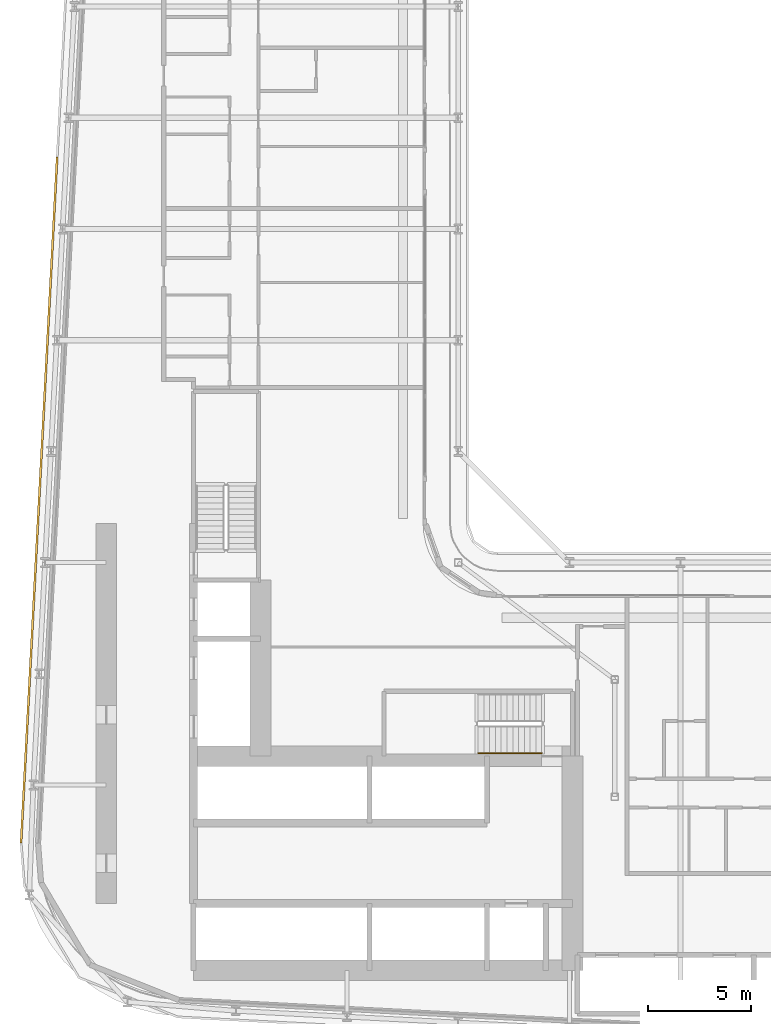
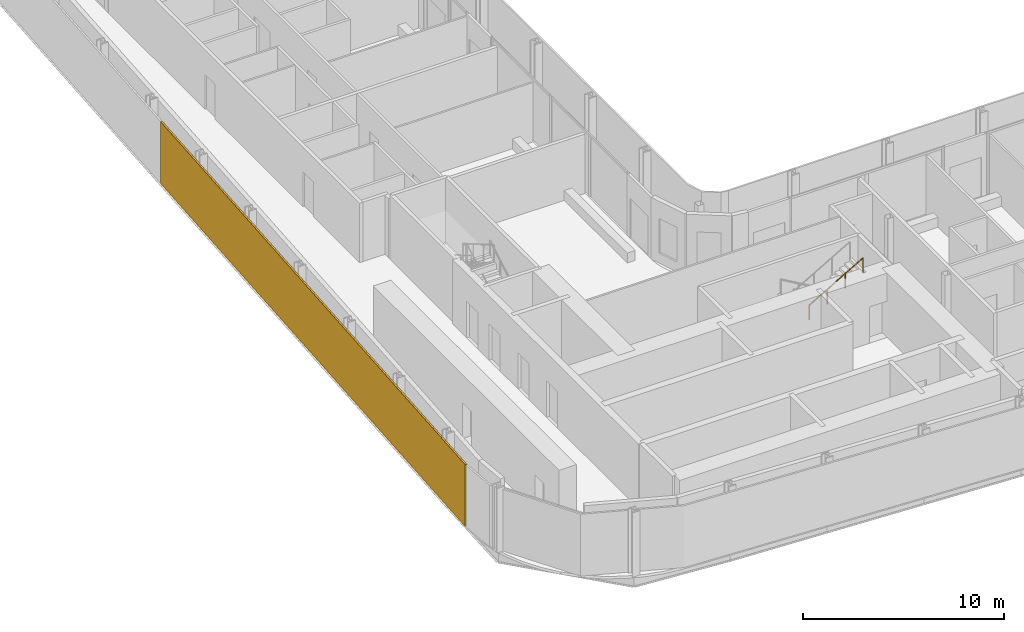
# One storey, part 22 of 28: 1 railing, 1 shading device.
"""IFC4 building model written with IfcOpenShell, lengths in metres."""

from ifc_helpers import new_model, si_unit, direction, frame, origin, origin_2d, place, context, subcontext, project, spatial, rectangle, circle, extrude, material, layer, layer_set, type_object, element, save


model = new_model("IFC4")

# Units and contexts
model_context = context("Model", 3, precision=1e-05, world=origin(), true_north=direction((0.0, 1.0)))
body_context = subcontext(model_context, "Body", "Model", "MODEL_VIEW")
ifc_project = project(units=[si_unit("LENGTHUNIT", "METRE"), si_unit("AREAUNIT", "SQUARE_METRE"), si_unit("VOLUMEUNIT", "CUBIC_METRE"), si_unit("PLANEANGLEUNIT", "RADIAN"), si_unit("MASSUNIT", "GRAM", prefix="KILO")], contexts=[model_context])

# Site, building, storey
site_placement = place(None, origin())
site = spatial("IfcSite", under=ifc_project, at=site_placement, CompositionType="ELEMENT")
building_placement = place(site_placement, origin())
building = spatial("IfcBuilding", under=site, at=building_placement, Name="Kheshtan School and Residences Tower", CompositionType="ELEMENT")
storey_placement = place(building_placement, frame((0.0, 0.0, 42.199951171875)))
storey = spatial("IfcBuildingStorey", under=building, at=storey_placement, Name="L09", CompositionType="ELEMENT", Elevation=42.199951171875)

# Shading device
ifc_material_1 = material(Name="Terracotta baguette, extruded ceramic", Category="masonry")
ifc_layer = layer(ifc_material_1, 0.10009765625)
ifc_layer_set = layer_set([ifc_layer], Name="Ledge screen, terracotta baguettes")
shading_device_type = type_object("IfcShadingDeviceType", Name="Ledge screen, terracotta baguettes", PredefinedType="USERDEFINED", material=ifc_layer_set)
shading_device_placement = place(storey_placement, frame((27.24609375, 48.638916015625, 0.0), z_axis=(0.0, 0.0, 1.0), x_axis=(0.052562536748, 0.998617634398, 0.0)))
element("IfcShadingDevice", 1, at=shading_device_placement, inside=storey, type_object=shading_device_type, Name="Screen L09 4", ObjectType="BAGUETTE", PredefinedType="USERDEFINED", context=body_context, shape_type="SweptSolid", body=[
    extrude(rectangle(XDim=33.341064453125, YDim=0.10009765625, at=origin_2d()), origin(), (0.0, 0.0, 1.0), 3.75),
])

# Railing
ifc_material_2 = material(Name="Stainless steel handrail", Category="steel")
railing_type = type_object("IfcRailingType", Name="Stair handrail 900", PredefinedType="HANDRAIL", material=ifc_material_2)
railing_placement = place(storey_placement, frame((48.570068359375, 36.35009765625, 2.112548828125)))
element("IfcRailing", 2, at=railing_placement, inside=storey, type_object=railing_type, Name="L09 ST1 stair handrail 2", PredefinedType="HANDRAIL", context=body_context, shape_type="SweptSolid", body=[
    extrude(circle(Radius=0.02392578125, at=origin_2d()), frame((0.0, 0.0, 0.8759765625), z_axis=(0.864873446163, 0.0, 0.501989962173), x_axis=(0.0, 1.0, 0.0)), (0.0, 0.0, 1.0), 3.56103515625),
    extrude(circle(Radius=0.02099609375, at=origin_2d()), origin(), (0.0, 0.0, 1.0), 0.851806640625),
    extrude(circle(Radius=0.02099609375, at=origin_2d()), frame((1.026611328125, 0.0, 0.595947265625)), (0.0, 0.0, 1.0), 0.851806640625),
    extrude(circle(Radius=0.02099609375, at=origin_2d()), frame((2.05322265625, 0.0, 1.191650390625)), (0.0, 0.0, 1.0), 0.851806640625),
    extrude(circle(Radius=0.02099609375, at=origin_2d()), frame((3.079833984375, 0.0, 1.78759765625)), (0.0, 0.0, 1.0), 0.851806640625),
])

save(model, "model.ifc")
